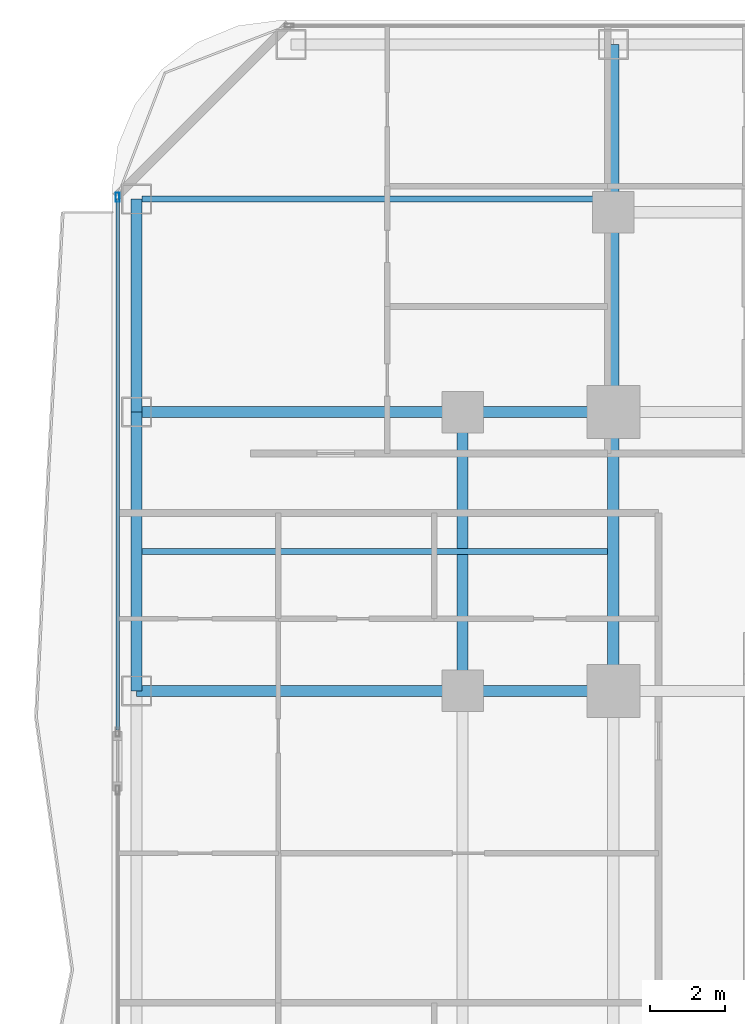
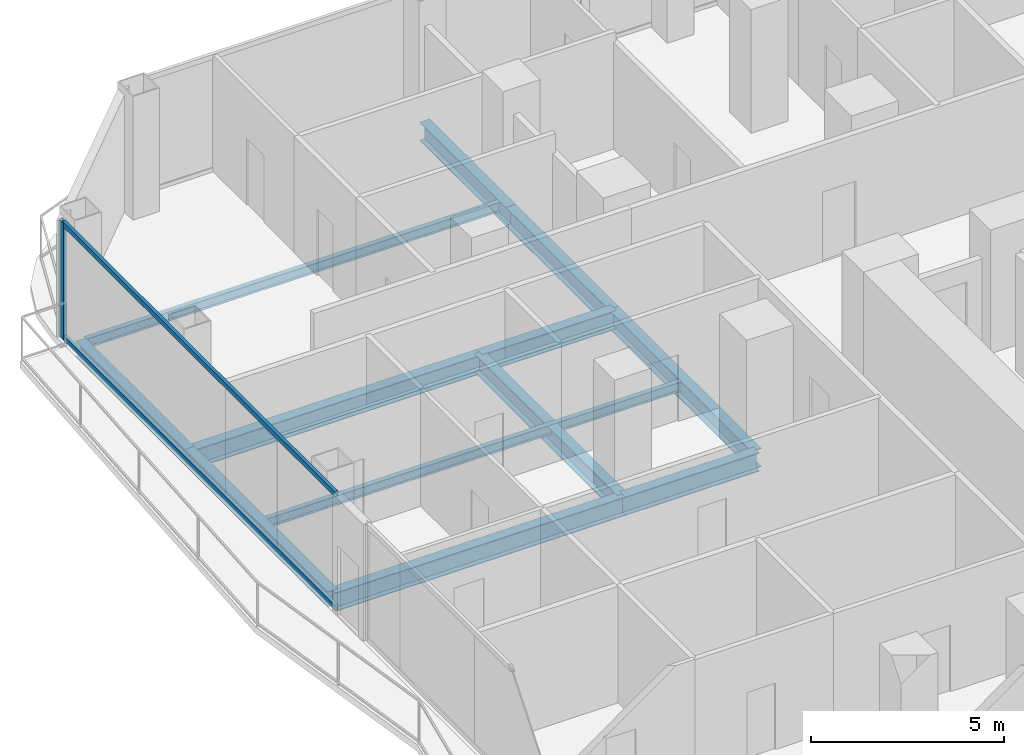
# One storey, part 13 of 29: 12 beams, 3 members, 1 element without a shape of its own.
"""IFC4 building model written with IfcOpenShell, lengths in metres."""

from ifc_helpers import new_model, si_unit, direction, frame, origin, origin_2d, place, context, subcontext, project, spatial, hollow_rectangle, i_section, extrude, material, layer, layer_set, material_profile, profile_set, type_object, element, aggregate, save


model = new_model("IFC4")

# Units and contexts
model_context = context("Model", 3, precision=1e-05, world=origin(), true_north=direction((0.0, 1.0)))
body_context = subcontext(model_context, "Body", "Model", "MODEL_VIEW")
ifc_project = project(units=[si_unit("LENGTHUNIT", "METRE"), si_unit("AREAUNIT", "SQUARE_METRE"), si_unit("VOLUMEUNIT", "CUBIC_METRE"), si_unit("PLANEANGLEUNIT", "RADIAN"), si_unit("MASSUNIT", "GRAM", prefix="KILO")], contexts=[model_context])

# Site, building, storey
site_placement = place(None, origin())
site = spatial("IfcSite", under=ifc_project, at=site_placement, CompositionType="ELEMENT")
building_placement = place(site_placement, origin())
building = spatial("IfcBuilding", under=site, at=building_placement, Name="Khorvyn Point Tower", CompositionType="ELEMENT")
storey_placement = place(building_placement, frame((0.0, 0.0, 69.60009765625)))
storey = spatial("IfcBuildingStorey", under=building, at=storey_placement, Name="L18", CompositionType="ELEMENT", Elevation=69.60009765625)

# Curtain wall, members
ifc_material_1 = material(Name="Anodised aluminium 6063-T6 and laminated Low-E glass", Category="aluminium")
ifc_layer = layer(ifc_material_1, 0.18994140625)
ifc_layer_set = layer_set([ifc_layer], Name="Stick-Built Finned Residential Curtain Wall CW-SYS-02")
curtain_wall_type = type_object("IfcCurtainWallType", Name="Stick-Built Finned Residential Curtain Wall CW-SYS-02", PredefinedType="NOTDEFINED", material=ifc_layer_set)
curtain_wall_placement = place(storey_placement, origin())
curtain_wall = element("IfcCurtainWall", 1, at=curtain_wall_placement, inside=storey, type_object=curtain_wall_type, Name="Curtain Wall", PredefinedType="NOTDEFINED")
ifc_material_2 = material(Name="Anodised aluminium 6063-T6", Category="aluminium")
ifc_material_profile_1 = material_profile(ifc_material_2, hollow_rectangle(XDim=0.10009765625, YDim=0.239990234375, WallThickness=0.0048828125, at=origin_2d()))
ifc_profile_set_1 = profile_set([ifc_material_profile_1], Name="Anodised aluminium 6063-T6 ALU-MUL-100x240")
member_type_1 = type_object("IfcMemberType", Name="Anodised Aluminium 6063-T6 Mullion ALU-MUL-100x240", PredefinedType="MULLION", material=ifc_profile_set_1)
member_1_placement = place(storey_placement, frame((-27.949951171875, 20.5, 0.0), z_axis=(0.0, 0.0, 1.0), x_axis=(-1.0, 0.0, 0.0)))
member_1 = element("IfcMember", 2, at=member_1_placement, type_object=member_type_1, Name="Transom", PredefinedType="MULLION", context=body_context, shape_type="SweptSolid", body=[
    extrude(hollow_rectangle(XDim=0.10009765625, YDim=0.239990234375, WallThickness=0.0048828125, at=origin_2d()), origin(), (0.0, 0.0, 1.0), 3.679931640625),
])
ifc_material_profile_2 = material_profile(ifc_material_2, hollow_rectangle(XDim=0.10009765625, YDim=0.159912109375, WallThickness=0.00439453125, at=origin_2d()))
ifc_profile_set_2 = profile_set([ifc_material_profile_2], Name="Anodised aluminium 6063-T6 ALU-TRN-100x160")
member_type_2 = type_object("IfcMemberType", Name="Anodised Aluminium 6063-T6 Transom ALU-TRN-100x160", PredefinedType="USERDEFINED", material=ifc_profile_set_2)
member_2_placement = place(storey_placement, frame((-27.949951171875, 6.35888671875, 0.0498046875), z_axis=(0.0, 1.0, 0.0), x_axis=(-1.0, 0.0, 0.0)))
member_2 = element("IfcMember", 3, at=member_2_placement, type_object=member_type_2, Name="Transom", ObjectType="TRANSOM", PredefinedType="USERDEFINED", context=body_context, shape_type="SweptSolid", body=[
    extrude(hollow_rectangle(XDim=0.10009765625, YDim=0.159912109375, WallThickness=0.00439453125, at=origin_2d()), origin(), (0.0, 0.0, 1.0), 14.091064453125),
])
member_3_placement = place(storey_placement, frame((-27.949951171875, 6.35888671875, 3.6298828125), z_axis=(0.0, 1.0, 0.0), x_axis=(-1.0, 0.0, 0.0)))
member_3 = element("IfcMember", 4, at=member_3_placement, type_object=member_type_2, Name="Transom", ObjectType="TRANSOM", PredefinedType="USERDEFINED", context=body_context, shape_type="SweptSolid", body=[
    extrude(hollow_rectangle(XDim=0.10009765625, YDim=0.159912109375, WallThickness=0.00439453125, at=origin_2d()), origin(), (0.0, 0.0, 1.0), 14.091064453125),
])
aggregate(curtain_wall, [member_1, member_2, member_3])

# Beams
ifc_material_3 = material(Name="Steel S355", Category="steel")
ifc_material_profile_3 = material_profile(ifc_material_3, i_section(OverallWidth=0.300048828125, OverallDepth=0.587890625, WebThickness=0.011962890625, FlangeThickness=0.02001953125, at=origin_2d()))
ifc_profile_set_3 = profile_set([ifc_material_profile_3], Name="Steel S355 H588x300x12x20")
beam_type_1 = type_object("IfcBeamType", Name="Steel S355 Beam H588x300x12x20", PredefinedType="BEAM", material=ifc_profile_set_3)
beam_1_placement = place(storey_placement, frame((-27.449951171875, 14.800048828125, -0.51416015625), z_axis=(1.0, 0.0, 0.0), x_axis=(0.0, 1.0, 0.0)))
element("IfcBeam", 5, at=beam_1_placement, inside=storey, type_object=beam_type_1, Name="Beam", PredefinedType="BEAM", context=body_context, shape_type="SweptSolid", body=[
    extrude(i_section(OverallWidth=0.300048828125, OverallDepth=0.587890625, WebThickness=0.011962890625, FlangeThickness=0.02001953125, at=origin_2d()), origin(), (0.0, 0.0, 1.0), 8.64990234375),
])
beam_2_placement = place(storey_placement, frame((-18.800048828125, 14.800048828125, -0.51416015625), z_axis=(1.0, 0.0, 0.0), x_axis=(0.0, 1.0, 0.0)))
element("IfcBeam", 6, at=beam_2_placement, inside=storey, type_object=beam_type_1, Name="Beam", PredefinedType="BEAM", context=body_context, shape_type="SweptSolid", body=[
    extrude(i_section(OverallWidth=0.300048828125, OverallDepth=0.587890625, WebThickness=0.011962890625, FlangeThickness=0.02001953125, at=origin_2d()), origin(), (0.0, 0.0, 1.0), 4.0),
])
beam_3_placement = place(storey_placement, frame((-27.449951171875, 7.39990234375, -0.51416015625), z_axis=(1.0, 0.0, 0.0), x_axis=(0.0, 1.0, 0.0)))
element("IfcBeam", 7, at=beam_3_placement, inside=storey, type_object=beam_type_1, Name="Beam", PredefinedType="BEAM", context=body_context, shape_type="SweptSolid", body=[
    extrude(i_section(OverallWidth=0.300048828125, OverallDepth=0.587890625, WebThickness=0.011962890625, FlangeThickness=0.02001953125, at=origin_2d()), origin(), (0.0, 0.0, 1.0), 8.64990234375),
])
beam_4_placement = place(storey_placement, frame((-18.800048828125, 7.39990234375, -0.51416015625), z_axis=(1.0, 0.0, 0.0), x_axis=(0.0, 1.0, 0.0)))
element("IfcBeam", 8, at=beam_4_placement, inside=storey, type_object=beam_type_1, Name="Beam", PredefinedType="BEAM", context=body_context, shape_type="SweptSolid", body=[
    extrude(i_section(OverallWidth=0.300048828125, OverallDepth=0.587890625, WebThickness=0.011962890625, FlangeThickness=0.02001953125, at=origin_2d()), origin(), (0.0, 0.0, 1.0), 4.0),
])
beam_5_placement = place(storey_placement, frame((-14.800048828125, 7.39990234375, -0.51416015625), z_axis=(0.0, 1.0, 0.0), x_axis=(-1.0, 0.0, 0.0)))
element("IfcBeam", 9, at=beam_5_placement, inside=storey, type_object=beam_type_1, Name="Beam", PredefinedType="BEAM", context=body_context, shape_type="SweptSolid", body=[
    extrude(i_section(OverallWidth=0.300048828125, OverallDepth=0.587890625, WebThickness=0.011962890625, FlangeThickness=0.02001953125, at=origin_2d()), origin(), (0.0, 0.0, 1.0), 7.400146484375),
])
beam_6_placement = place(storey_placement, frame((-14.800048828125, 14.800048828125, -0.51416015625), z_axis=(0.0, 1.0, 0.0), x_axis=(-1.0, 0.0, 0.0)))
element("IfcBeam", 10, at=beam_6_placement, inside=storey, type_object=beam_type_1, Name="Beam", PredefinedType="BEAM", context=body_context, shape_type="SweptSolid", body=[
    extrude(i_section(OverallWidth=0.300048828125, OverallDepth=0.587890625, WebThickness=0.011962890625, FlangeThickness=0.02001953125, at=origin_2d()), origin(), (0.0, 0.0, 1.0), 5.300048828125),
])
beam_7_placement = place(storey_placement, frame((-14.800048828125, 20.10009765625, -0.51416015625), z_axis=(0.0, 1.0, 0.0), x_axis=(-1.0, 0.0, 0.0)))
element("IfcBeam", 11, at=beam_7_placement, inside=storey, type_object=beam_type_1, Name="Beam", PredefinedType="BEAM", context=body_context, shape_type="SweptSolid", body=[
    extrude(i_section(OverallWidth=0.300048828125, OverallDepth=0.587890625, WebThickness=0.011962890625, FlangeThickness=0.02001953125, at=origin_2d()), origin(), (0.0, 0.0, 1.0), 4.449951171875),
])
beam_8_placement = place(storey_placement, frame((-18.800048828125, 7.39990234375, -0.51416015625), z_axis=(0.0, 1.0, 0.0), x_axis=(-1.0, 0.0, 0.0)))
element("IfcBeam", 12, at=beam_8_placement, inside=storey, type_object=beam_type_1, Name="Beam", PredefinedType="BEAM", context=body_context, shape_type="SweptSolid", body=[
    extrude(i_section(OverallWidth=0.300048828125, OverallDepth=0.587890625, WebThickness=0.011962890625, FlangeThickness=0.02001953125, at=origin_2d()), origin(), (0.0, 0.0, 1.0), 7.400146484375),
])
ifc_material_profile_4 = material_profile(ifc_material_3, i_section(OverallWidth=0.14990234375, OverallDepth=0.300048828125, WebThickness=0.006591796875, FlangeThickness=0.009033203125, at=origin_2d()))
ifc_profile_set_4 = profile_set([ifc_material_profile_4], Name="Steel S355 H300x150x6.5x9")
beam_type_2 = type_object("IfcBeamType", Name="Steel S355 Joist H300x150x6.5x9", PredefinedType="JOIST", material=ifc_profile_set_4)
for number, where, z_axis, x_axis, name in (
    (13, (-27.300048828125, 11.10009765625, -0.3701171875), (1.0, 0.0, 0.0), (0.0, 1.0, 0.0), "Beam"),
    (14, (-27.300048828125, 20.449951171875, -0.3701171875), (1.0, 0.0, 0.0), (0.0, 1.0, 0.0), "Beam"),
):
    element("IfcBeam", number, at=place(storey_placement, frame(where, z_axis=z_axis, x_axis=x_axis)), inside=storey, type_object=beam_type_2, Name=name, PredefinedType="JOIST", context=body_context, shape_type="SweptSolid", body=[
        extrude(i_section(OverallWidth=0.14990234375, OverallDepth=0.300048828125, WebThickness=0.006591796875, FlangeThickness=0.009033203125, at=origin_2d()), origin(), (0.0, 0.0, 1.0), 12.35009765625),
    ])
ifc_material_profile_5 = material_profile(ifc_material_3, i_section(OverallWidth=0.300048828125, OverallDepth=0.488037109375, WebThickness=0.010986328125, FlangeThickness=0.01806640625, at=origin_2d()))
ifc_profile_set_5 = profile_set([ifc_material_profile_5], Name="Steel S355 H488x300x11x18")
beam_type_3 = type_object("IfcBeamType", Name="Steel S355 Spandrel H488x300x11x18", PredefinedType="SPANDREL", material=ifc_profile_set_5)
beam_9_placement = place(storey_placement, frame((-27.449951171875, 7.39990234375, -0.464111328125), z_axis=(0.0, 1.0, 0.0), x_axis=(-1.0, 0.0, 0.0)))
element("IfcBeam", 15, at=beam_9_placement, inside=storey, type_object=beam_type_3, Name="Beam", PredefinedType="SPANDREL", context=body_context, shape_type="SweptSolid", body=[
    extrude(i_section(OverallWidth=0.300048828125, OverallDepth=0.488037109375, WebThickness=0.010986328125, FlangeThickness=0.01806640625, at=origin_2d()), origin(), (0.0, 0.0, 1.0), 7.400146484375),
])
beam_10_placement = place(storey_placement, frame((-27.449951171875, 14.800048828125, -0.464111328125), z_axis=(0.0, 1.0, 0.0), x_axis=(-1.0, 0.0, 0.0)))
element("IfcBeam", 16, at=beam_10_placement, inside=storey, type_object=beam_type_3, Name="Beam", PredefinedType="SPANDREL", context=body_context, shape_type="SweptSolid", body=[
    extrude(i_section(OverallWidth=0.300048828125, OverallDepth=0.488037109375, WebThickness=0.010986328125, FlangeThickness=0.01806640625, at=origin_2d()), origin(), (0.0, 0.0, 1.0), 5.64990234375),
])

save(model, "model.ifc")
